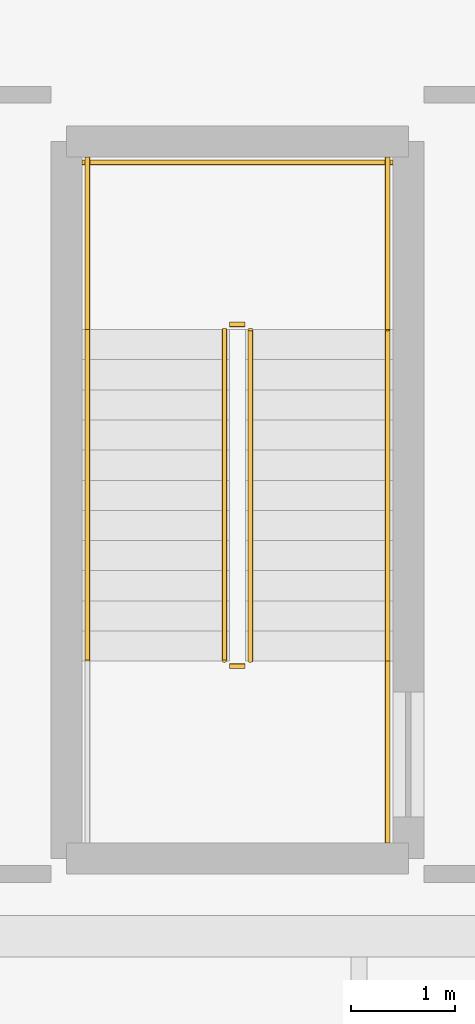
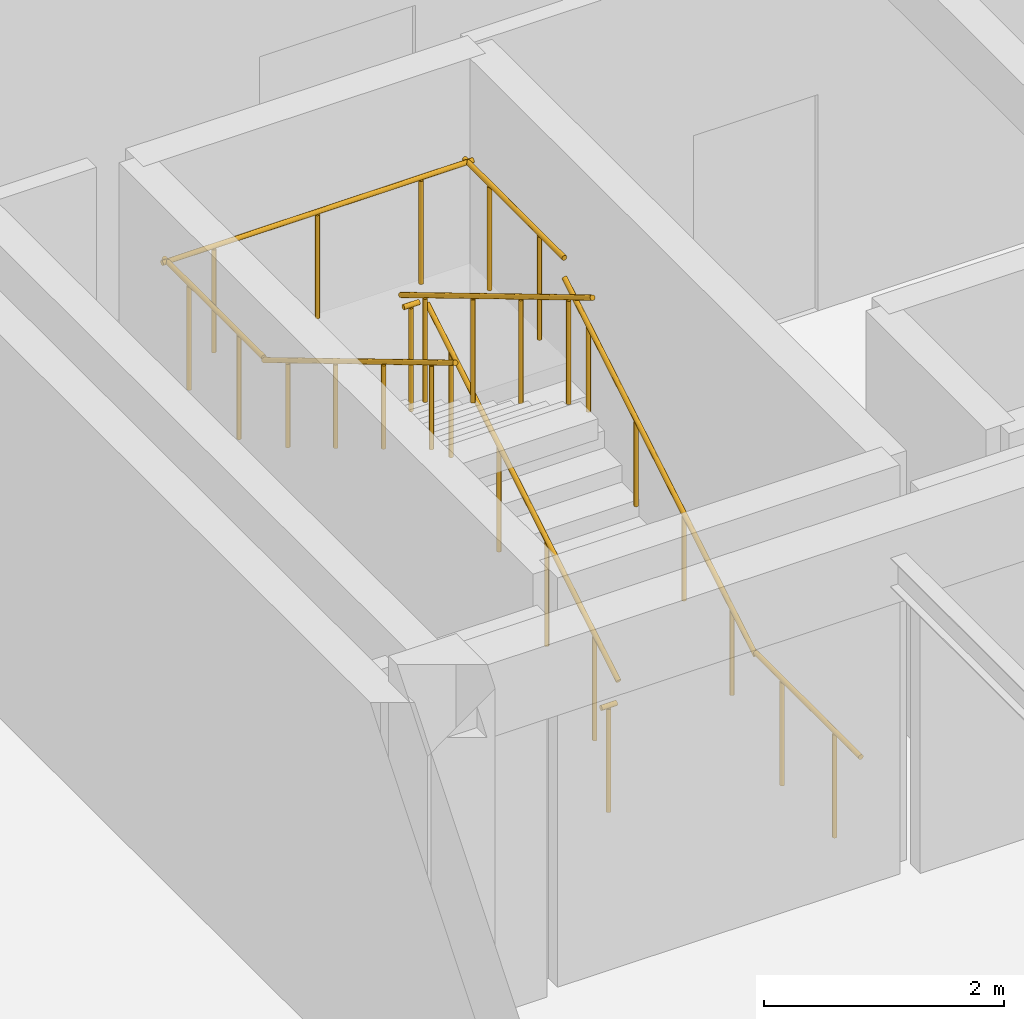
# One storey, part 106 of 114: 10 railings.
"""IFC4 building model written with IfcOpenShell, lengths in metres."""

import ifcopenshell
import ifcopenshell.guid

model = None  # the IFC model being written
_history = None  # IfcOwnerHistory: only IFC2X3 demands one
_inside = {}  # id of a spatial element -> (the spatial element, [elements in it])
_under = {}  # id of a project, library or spatial element -> (it, [spatial elements below it])
_declared = {}  # id of a project -> (the project, [libraries it declares])
_typed = {}  # id of a type object -> (the type object, [elements of that type])
_made_of = {}  # id of a material, layer set ... -> (it, [elements and type objects made of it])


def new_model(schema):
    """Start an empty IFC model of exactly this schema.

    Asked for "IFC4X3", IfcOpenShell would pick the latest addendum, in which some entities
    have other attributes; the version numbers below select the first issue.
    IFC2X3 requires an IfcOwnerHistory on every rooted entity: one is made here for all.
    """
    global model, _history
    if schema == "IFC4X3":
        model = ifcopenshell.file(schema_version=(4, 3, 0, 0))
    else:
        model = ifcopenshell.file(schema=schema)
    _inside.clear()
    _under.clear()
    _declared.clear()
    _typed.clear()
    _made_of.clear()
    _history = None
    if model.schema == "IFC2X3":
        org = make("IfcOrganization", Name="unknown")
        user = make(
            "IfcPersonAndOrganization",
            ThePerson=make("IfcPerson", FamilyName="unknown"),
            TheOrganization=org,
        )
        app = make(
            "IfcApplication",
            ApplicationDeveloper=org,
            Version="unknown",
            ApplicationFullName="unknown",
            ApplicationIdentifier="unknown",
        )
        _history = make(
            "IfcOwnerHistory",
            OwningUser=user,
            OwningApplication=app,
            ChangeAction="ADDED",
            CreationDate=0,
        )
    return model


def make(cls, **values):
    """One entity of the class cls with the attributes given. An attribute that is None is left unset."""
    return model.create_entity(
        cls, **{name: value for name, value in values.items() if value is not None}
    )


def rooted(cls, **values):
    """An entity with a GlobalId (a new one), such as an element, a storey or a relation."""
    return make(cls, GlobalId=ifcopenshell.guid.new(), OwnerHistory=_history, **values)


def si_unit(unit_type, name, prefix=None):
    """IfcSIUnit, for example si_unit("LENGTHUNIT", "METRE", prefix="MILLI")."""
    return make("IfcSIUnit", UnitType=unit_type, Prefix=prefix, Name=name)


def assignment(units):
    """IfcUnitAssignment: the units of a project."""
    return None if units is None else make("IfcUnitAssignment", Units=units)


def point(xyz):
    """IfcCartesianPoint."""
    return None if xyz is None else make("IfcCartesianPoint", Coordinates=xyz)


def direction(xyz):
    """IfcDirection."""
    return None if xyz is None else make("IfcDirection", DirectionRatios=xyz)


def frame(location, z_axis=None, x_axis=None):
    """IfcAxis2Placement3D, a coordinate frame: its origin and axes. An axis left out is left unset."""
    return make(
        "IfcAxis2Placement3D",
        Location=point(location),
        Axis=direction(z_axis),
        RefDirection=direction(x_axis),
    )


def frame_2d(location, x_axis=None):
    """IfcAxis2Placement2D, a coordinate frame in the plane: its origin and x axis."""
    return make(
        "IfcAxis2Placement2D", Location=point(location), RefDirection=direction(x_axis)
    )


def origin():
    """The frame at (0, 0, 0) with its axes left unset."""
    return frame((0.0, 0.0, 0.0))


def origin_2d():
    """The frame at (0, 0) in the plane with its x axis left unset."""
    return frame_2d((0.0, 0.0))


def place(relative_to, where):
    """IfcLocalPlacement: puts the frame where relative to a parent placement (None: the world)."""
    return make(
        "IfcLocalPlacement", PlacementRelTo=relative_to, RelativePlacement=where
    )


def context(
    kind, dimensions, precision=None, world=None, true_north=None, identifier=None
):
    """IfcGeometricRepresentationContext, for example the 3D "Model" context."""
    return make(
        "IfcGeometricRepresentationContext",
        ContextIdentifier=identifier,
        ContextType=kind,
        CoordinateSpaceDimension=dimensions,
        Precision=precision,
        WorldCoordinateSystem=world,
        TrueNorth=true_north,
    )


def subcontext(parent, identifier, kind, view, scale=None):
    """IfcGeometricRepresentationSubContext, for example "Body" below "Model"."""
    return make(
        "IfcGeometricRepresentationSubContext",
        ContextIdentifier=identifier,
        ContextType=kind,
        ParentContext=parent,
        TargetScale=scale,
        TargetView=view,
    )


def project(units=None, contexts=None):
    """IfcProject with its units and contexts."""
    return rooted(
        "IfcProject",
        Name="project",
        RepresentationContexts=contexts,
        UnitsInContext=assignment(units),
    )


def spatial(cls, under=None, at=None, **own):
    """A site, building, storey or space (cls), placed at a placement, below another one or the project."""
    s = rooted(cls, ObjectPlacement=at, **own)
    if under is not None:
        _under.setdefault(under.id(), (under, []))[1].append(s)
    return s


def profile(cls, at=None, kind="AREA", **sizes):
    """A parametric profile (cls). Its sizes go by their IFC names, for example OverallWidth=200.0."""
    return make(cls, ProfileType=kind, Position=at, **sizes)


def circle(**sizes):
    """IfcCircleProfileDef."""
    return profile("IfcCircleProfileDef", **sizes)


def extrude(swept, where, along, depth):
    """IfcExtrudedAreaSolid: the profile swept, set in the frame where, extruded along a direction by depth."""
    return make(
        "IfcExtrudedAreaSolid",
        SweptArea=swept,
        Position=where,
        ExtrudedDirection=direction(along),
        Depth=depth,
    )


def shape(context_of_items, identifier, shape_type, items):
    """IfcShapeRepresentation: the items that make up one representation, for example the "Body"."""
    return make(
        "IfcShapeRepresentation",
        ContextOfItems=context_of_items,
        RepresentationIdentifier=identifier,
        RepresentationType=shape_type,
        Items=items,
    )


def material(Name=None, Category=None):
    """IfcMaterial."""
    return make("IfcMaterial", Name=Name, Category=Category)


def made_of(thing, what):
    """Note that an element or type object is made of a material, layer set ...; save() writes the relation."""
    if what is not None:
        _made_of.setdefault(what.id(), (what, []))[1].append(thing)
    return thing


def type_object(cls, material=None, **own):
    """A type object (cls), such as IfcWallType, which elements share."""
    return made_of(rooted(cls, **own), material)


def element(
    cls,
    number,
    at=None,
    inside=None,
    cuts=None,
    type_object=None,
    material=None,
    context=None,
    identifier="Body",
    shape_type=None,
    held_by="IfcProductDefinitionShape",
    body=None,
    shapes=None,
    **own,
):
    """One element of the class cls, such as IfcWall. Its Tag is "e" and its number.

    at: its placement. inside: the storey or other place that contains it. cuts: it is an
    opening in that element (IfcRelVoidsElement). A single representation is given by context,
    identifier, shape_type and body (its items); several are given by shapes. held_by: the class
    of the entity that holds the representations. save() writes the other relations.
    """
    e = rooted(cls, Tag="e%d" % number, ObjectPlacement=at, **own)
    if body is not None:
        shapes = [shape(context, identifier, shape_type, body)]
    if shapes is not None:
        e.Representation = make(held_by, Representations=shapes)
    if inside is not None:
        _inside.setdefault(inside.id(), (inside, []))[1].append(e)
    if cuts is not None:
        rooted(
            "IfcRelVoidsElement", RelatingBuildingElement=cuts, RelatedOpeningElement=e
        )
    if type_object is not None:
        _typed.setdefault(type_object.id(), (type_object, []))[1].append(e)
    return made_of(e, material)


def aggregate(whole, parts):
    """IfcRelAggregates: a whole, such as a stair, and the parts it consists of."""
    return rooted("IfcRelAggregates", RelatingObject=whole, RelatedObjects=parts)


def save(model, path):
    """Write the relations noted so far, then the file.

    IfcRelAggregates (storeys below a building ...), IfcRelContainedInSpatialStructure (elements
    in a storey), IfcRelDefinesByType, IfcRelAssociatesMaterial and IfcRelDeclares: one each for
    every whole, place, type object, material and project.
    """
    for whole, parts in _under.values():
        aggregate(whole, parts)
    for where, things in _inside.values():
        rooted(
            "IfcRelContainedInSpatialStructure",
            RelatedElements=things,
            RelatingStructure=where,
        )
    for kind, things in _typed.values():
        rooted("IfcRelDefinesByType", RelatedObjects=things, RelatingType=kind)
    for what, things in _made_of.values():
        rooted("IfcRelAssociatesMaterial", RelatedObjects=things, RelatingMaterial=what)
    for by, libraries in _declared.values():
        rooted("IfcRelDeclares", RelatingContext=by, RelatedDefinitions=libraries)
    model.write(path)


model = new_model("IFC4")

# Units and contexts
model_context = context("Model", 3, precision=1e-05, world=origin(), true_north=direction((0.0, 1.0)))
body_context = subcontext(model_context, "Body", "Model", "MODEL_VIEW")
ifc_project = project(units=[si_unit("LENGTHUNIT", "METRE"), si_unit("AREAUNIT", "SQUARE_METRE"), si_unit("VOLUMEUNIT", "CUBIC_METRE"), si_unit("PLANEANGLEUNIT", "RADIAN"), si_unit("MASSUNIT", "GRAM", prefix="KILO")], contexts=[model_context])

# Site, building, storey
site_placement = place(None, origin())
site = spatial("IfcSite", under=ifc_project, at=site_placement, CompositionType="ELEMENT")
building_placement = place(site_placement, origin())
building = spatial("IfcBuilding", under=site, at=building_placement, Name="Keldmere Railside Commons", CompositionType="ELEMENT")
storey_placement = place(building_placement, origin())
storey = spatial("IfcBuildingStorey", under=building, at=storey_placement, Name="L00", CompositionType="ELEMENT", Elevation=0.0)

# Railings
ifc_material = material(Name="Steel F-24 (S235)", Category="steel")
railing_type_1 = type_object("IfcRailingType", Name="Stair Well Steel Guardrail 1100", PredefinedType="BALUSTRADE", material=ifc_material)
railing_1_placement = place(storey_placement, frame((131.679931640625, 22.050048828125, 0.17333984375)))
element("IfcRailing", 1, at=railing_1_placement, inside=storey, type_object=railing_type_1, Name="L00 ST-M1 stair guard 1", PredefinedType="BALUSTRADE", context=body_context, shape_type="SweptSolid", body=[
    extrude(circle(Radius=0.02392578125, at=origin_2d()), frame((0.0, 0.0, 1.076171875), z_axis=(0.0, 0.858349611844, 0.513065243265), x_axis=(-1.0, 0.0, 0.0)), (0.0, 0.0, 1.0), 3.71630859375),
    extrude(circle(Radius=0.02099609375, at=origin_2d()), frame((0.0, 0.398681640625, 0.23828125)), (0.0, 0.0, 1.0), 1.048095703125),
    extrude(circle(Radius=0.02099609375, at=origin_2d()), frame((0.0, 1.1962890625, 0.715087890625)), (0.0, 0.0, 1.0), 1.048095703125),
    extrude(circle(Radius=0.02099609375, at=origin_2d()), frame((0.0, 1.99365234375, 1.191650390625)), (0.0, 0.0, 1.0), 1.048095703125),
    extrude(circle(Radius=0.02099609375, at=origin_2d()), frame((0.0, 2.791259765625, 1.66845703125)), (0.0, 0.0, 1.0), 1.048095703125),
])
railing_2_placement = place(storey_placement, frame((131.6298828125, 25.2900390625, 2.080078125)))
element("IfcRailing", 2, at=railing_2_placement, inside=storey, type_object=railing_type_1, Name="L00 ST-M1 stair guard 2", PredefinedType="BALUSTRADE", context=body_context, shape_type="SweptSolid", body=[
    extrude(circle(Radius=0.02392578125, at=origin_2d()), frame((0.0, 0.0, 1.076171875), z_axis=(-1.0, 0.0, 0.0), x_axis=(0.0, -1.0, 0.0)), (0.0, 0.0, 1.0), 0.14990234375),
    extrude(circle(Radius=0.02099609375, at=origin_2d()), frame((-0.074951171875, 0.0, 0.0)), (0.0, 0.0, 1.0), 1.048095703125),
])
for number, where, name in (
    (3, (133.0, 25.239990234375, 2.080078125), "L00 ST-M1 stair guard 3"),
    (4, (130.110107421875, 25.239990234375, 2.080078125), "L00 ST-M1 stair guard 4"),
):
    element("IfcRailing", number, at=place(storey_placement, frame(where)), inside=storey, type_object=railing_type_1, Name=name, PredefinedType="BALUSTRADE", context=body_context, shape_type="SweptSolid", body=[
        extrude(circle(Radius=0.02392578125, at=origin_2d()), frame((0.0, 0.0, 1.076171875), z_axis=(0.0, 1.0, 0.0), x_axis=(-1.0, 0.0, 0.0)), (0.0, 0.0, 1.0), 1.659912109375),
        extrude(circle(Radius=0.02099609375, at=origin_2d()), frame((0.0, 0.4150390625, 0.0)), (0.0, 0.0, 1.0), 1.048095703125),
        extrude(circle(Radius=0.02099609375, at=origin_2d()), frame((0.0, 1.244873046875, 0.0)), (0.0, 0.0, 1.0), 1.048095703125),
    ])
railing_3_placement = place(storey_placement, frame((133.050048828125, 26.85009765625, 2.080078125)))
element("IfcRailing", 5, at=railing_3_placement, inside=storey, type_object=railing_type_1, Name="L00 ST-M1 stair guard 5", PredefinedType="BALUSTRADE", context=body_context, shape_type="SweptSolid", body=[
    extrude(circle(Radius=0.02392578125, at=origin_2d()), frame((0.0, 0.0, 1.076171875), z_axis=(-1.0, 0.0, 0.0), x_axis=(0.0, -1.0, 0.0)), (0.0, 0.0, 1.0), 2.989990234375),
    extrude(circle(Radius=0.02099609375, at=origin_2d()), frame((-0.498291015625, 0.0, 0.0)), (0.0, 0.0, 1.0), 1.048095703125),
    extrude(circle(Radius=0.02099609375, at=origin_2d()), frame((-1.4951171875, 0.0, 0.0)), (0.0, 0.0, 1.0), 1.048095703125),
    extrude(circle(Radius=0.02099609375, at=origin_2d()), frame((-2.49169921875, 0.0, 0.0)), (0.0, 0.0, 1.0), 1.048095703125),
])
railing_4_placement = place(storey_placement, frame((131.429931640625, 25.239990234375, 2.25341796875)))
element("IfcRailing", 6, at=railing_4_placement, inside=storey, type_object=railing_type_1, Name="L00 ST-M1 stair guard 6", PredefinedType="BALUSTRADE", context=body_context, shape_type="SweptSolid", body=[
    extrude(circle(Radius=0.02392578125, at=origin_2d()), frame((0.0, 0.0, 1.076171875), z_axis=(0.0, -0.858378542117, 0.513016840302), x_axis=(1.0, 0.0, 0.0)), (0.0, 0.0, 1.0), 3.71630859375),
    extrude(circle(Radius=0.02099609375, at=origin_2d()), frame((0.0, -0.398681640625, 0.23828125)), (0.0, 0.0, 1.0), 1.048095703125),
    extrude(circle(Radius=0.02099609375, at=origin_2d()), frame((0.0, -1.1962890625, 0.71484375)), (0.0, 0.0, 1.0), 1.048095703125),
    extrude(circle(Radius=0.02099609375, at=origin_2d()), frame((0.0, -1.99365234375, 1.191650390625)), (0.0, 0.0, 1.0), 1.048095703125),
    extrude(circle(Radius=0.02099609375, at=origin_2d()), frame((0.0, -2.791259765625, 1.668212890625)), (0.0, 0.0, 1.0), 1.048095703125),
])
railing_5_placement = place(storey_placement, frame((131.6298828125, 22.0, 0.0)))
element("IfcRailing", 7, at=railing_5_placement, inside=storey, type_object=railing_type_1, Name="L00 ST-M1 stair guard 7", PredefinedType="BALUSTRADE", context=body_context, shape_type="SweptSolid", body=[
    extrude(circle(Radius=0.02392578125, at=origin_2d()), frame((0.0, 0.0, 1.076171875), z_axis=(-1.0, 0.0, 0.0), x_axis=(0.0, -1.0, 0.0)), (0.0, 0.0, 1.0), 0.14990234375),
    extrude(circle(Radius=0.02099609375, at=origin_2d()), frame((-0.074951171875, 0.0, 0.0)), (0.0, 0.0, 1.0), 1.048095703125),
])
railing_6_placement = place(storey_placement, frame((133.0, 20.300048828125, 0.0)))
element("IfcRailing", 8, at=railing_6_placement, inside=storey, type_object=railing_type_1, Name="L00 ST-M1 stair guard 8", PredefinedType="BALUSTRADE", context=body_context, shape_type="SweptSolid", body=[
    extrude(circle(Radius=0.02392578125, at=origin_2d()), frame((0.0, 0.0, 1.076171875), z_axis=(0.0, 1.0, 0.0), x_axis=(-1.0, 0.0, 0.0)), (0.0, 0.0, 1.0), 1.75),
    extrude(circle(Radius=0.02099609375, at=origin_2d()), frame((0.0, 0.4375, 0.0)), (0.0, 0.0, 1.0), 1.048095703125),
    extrude(circle(Radius=0.02099609375, at=origin_2d()), frame((0.0, 1.3125, 0.0)), (0.0, 0.0, 1.0), 1.048095703125),
])
railing_type_2 = type_object("IfcRailingType", Name="Wall-Mounted Tubular Steel Handrail 900", PredefinedType="HANDRAIL", material=ifc_material)
railing_7_placement = place(storey_placement, frame((133.0, 22.050048828125, 0.17333984375)))
element("IfcRailing", 9, at=railing_7_placement, inside=storey, type_object=railing_type_2, Name="L00 ST-M1 stair handrail 1", PredefinedType="HANDRAIL", context=body_context, shape_type="SweptSolid", body=[
    extrude(circle(Radius=0.02392578125, at=origin_2d()), frame((0.0, 0.0, 0.8759765625), z_axis=(0.0, 0.858349611844, 0.513065243265), x_axis=(-1.0, 0.0, 0.0)), (0.0, 0.0, 1.0), 3.71630859375),
    extrude(circle(Radius=0.02099609375, at=origin_2d()), frame((0.0, 0.398681640625, 0.23828125)), (0.0, 0.0, 1.0), 0.847900390625),
    extrude(circle(Radius=0.02099609375, at=origin_2d()), frame((0.0, 1.1962890625, 0.715087890625)), (0.0, 0.0, 1.0), 0.847900390625),
    extrude(circle(Radius=0.02099609375, at=origin_2d()), frame((0.0, 1.99365234375, 1.191650390625)), (0.0, 0.0, 1.0), 0.847900390625),
    extrude(circle(Radius=0.02099609375, at=origin_2d()), frame((0.0, 2.791259765625, 1.66845703125)), (0.0, 0.0, 1.0), 0.847900390625),
])
railing_8_placement = place(storey_placement, frame((130.110107421875, 25.239990234375, 2.25341796875)))
element("IfcRailing", 10, at=railing_8_placement, inside=storey, type_object=railing_type_2, Name="L00 ST-M1 stair handrail 2", PredefinedType="HANDRAIL", context=body_context, shape_type="SweptSolid", body=[
    extrude(circle(Radius=0.02392578125, at=origin_2d()), frame((0.0, 0.0, 0.8759765625), z_axis=(0.0, -0.858378542117, 0.513016840302), x_axis=(1.0, 0.0, 0.0)), (0.0, 0.0, 1.0), 3.71630859375),
    extrude(circle(Radius=0.02099609375, at=origin_2d()), frame((0.0, -0.398681640625, 0.23828125)), (0.0, 0.0, 1.0), 0.847900390625),
    extrude(circle(Radius=0.02099609375, at=origin_2d()), frame((0.0, -1.1962890625, 0.71484375)), (0.0, 0.0, 1.0), 0.847900390625),
    extrude(circle(Radius=0.02099609375, at=origin_2d()), frame((0.0, -1.99365234375, 1.191650390625)), (0.0, 0.0, 1.0), 0.847900390625),
    extrude(circle(Radius=0.02099609375, at=origin_2d()), frame((0.0, -2.791259765625, 1.668212890625)), (0.0, 0.0, 1.0), 0.847900390625),
])

save(model, "model.ifc")
